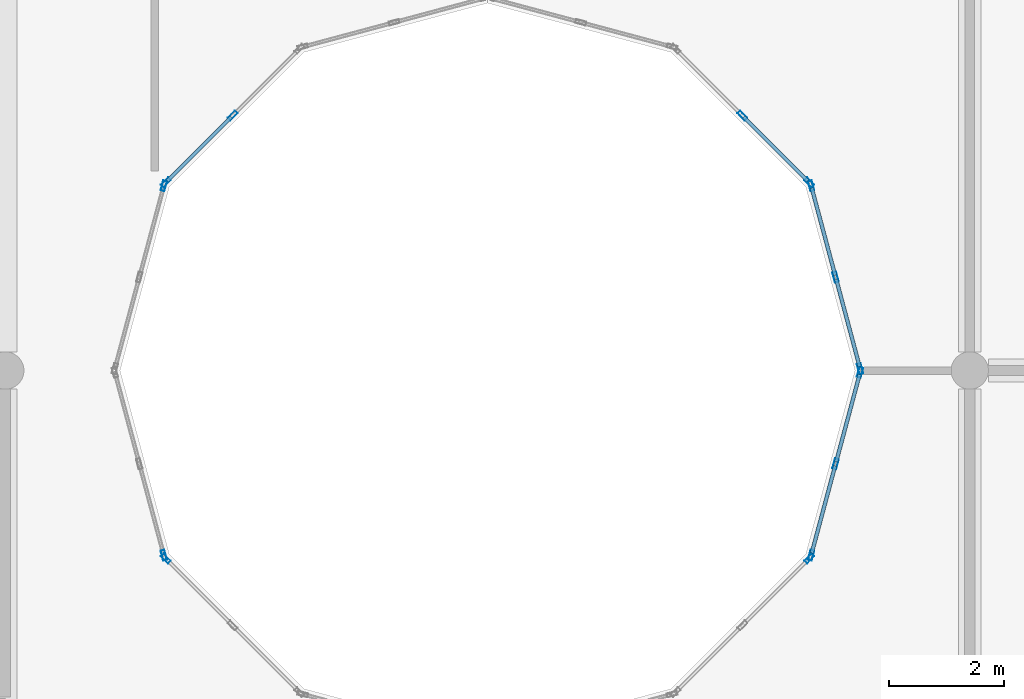
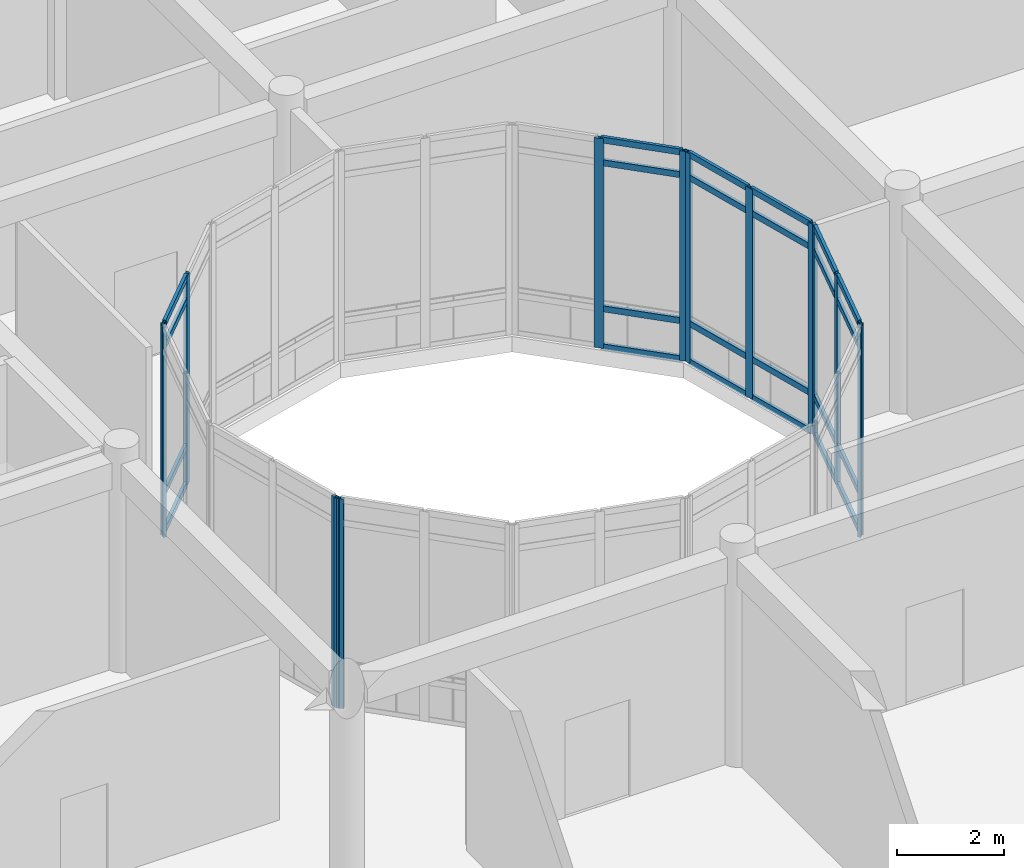
# One storey, part 51 of 134: 38 members, 8 elements without a shape of their own.
"""IFC4 building model written with IfcOpenShell, lengths in metres."""

from ifc_helpers import new_model, si_unit, direction, frame, origin, origin_2d, place, context, subcontext, project, spatial, hollow_rectangle, extrude, material, layer, layer_set, material_profile, profile_set, type_object, element, aggregate, save


model = new_model("IFC4")

# Units and contexts
model_context = context("Model", 3, precision=1e-05, world=origin(), true_north=direction((0.0, 1.0)))
body_context = subcontext(model_context, "Body", "Model", "MODEL_VIEW")
ifc_project = project(units=[si_unit("LENGTHUNIT", "METRE"), si_unit("AREAUNIT", "SQUARE_METRE"), si_unit("VOLUMEUNIT", "CUBIC_METRE"), si_unit("PLANEANGLEUNIT", "RADIAN"), si_unit("MASSUNIT", "GRAM", prefix="KILO")], contexts=[model_context])

# Site, building, storey
site_placement = place(None, origin())
site = spatial("IfcSite", under=ifc_project, at=site_placement, CompositionType="ELEMENT")
building_placement = place(site_placement, origin())
building = spatial("IfcBuilding", under=site, at=building_placement, Name="Bramfleet General Hospital", CompositionType="ELEMENT")
storey_placement = place(building_placement, frame((0.0, 0.0, 9.300048828125)))
storey = spatial("IfcBuildingStorey", under=building, at=storey_placement, Name="L02", CompositionType="ELEMENT", Elevation=9.300048828125)

# Curtain wall, member
ifc_material_1 = material(Name="Anodised aluminium and low-E triple glazing", Category="aluminium")
ifc_layer_1 = layer(ifc_material_1, 0.179931640625, Name="CWT-CW-13")
ifc_layer_set_1 = layer_set([ifc_layer_1], Name="Anodised aluminium and low-E triple glazing")
curtain_wall_type_1 = type_object("IfcCurtainWallType", Name="CWT-CW-13", PredefinedType="USERDEFINED", material=ifc_layer_set_1)
curtain_wall_1_placement = place(storey_placement, origin())
curtain_wall_1 = element("IfcCurtainWall", 1, at=curtain_wall_1_placement, inside=storey, type_object=curtain_wall_type_1, Name="L02 East Laboratory Light Court Curtain Wall 1.1", ObjectType="Stick curtain wall", PredefinedType="USERDEFINED")
ifc_material_2 = material(Name="Anodised aluminium EN AW-6060", Category="aluminium")
ifc_material_profile_1 = material_profile(ifc_material_2, hollow_rectangle(XDim=0.070068359375, YDim=0.179931640625, WallThickness=0.00390625, at=origin_2d()), Name="ALU 180x70x4.0")
ifc_profile_set_1 = profile_set([ifc_material_profile_1], Name="Anodised aluminium EN AW-6060")
member_type_1 = type_object("IfcMemberType", Name="CWM-ALU180", PredefinedType="MULLION", material=ifc_profile_set_1)
member_1_placement = place(storey_placement, frame((111.9619140625, 63.98388671875, 0.0), z_axis=(0.0, 0.0, 1.0), x_axis=(0.965913556273, 0.258864833085, 0.0)))
member_1 = element("IfcMember", 2, at=member_1_placement, type_object=member_type_1, Name="CW-13 mullion 3", PredefinedType="MULLION", context=body_context, shape_type="SweptSolid", body=[
    extrude(hollow_rectangle(XDim=0.070068359375, YDim=0.179931640625, WallThickness=0.00390625, at=origin_2d()), origin(), (0.0, 0.0, 1.0), 4.77001953125),
])
aggregate(curtain_wall_1, [member_1])

ifc_layer_2 = layer(ifc_material_1, 0.179931640625, Name="CWT-CW-14")
ifc_layer_set_2 = layer_set([ifc_layer_2], Name="Anodised aluminium and low-E triple glazing")
curtain_wall_type_2 = type_object("IfcCurtainWallType", Name="CWT-CW-14", PredefinedType="USERDEFINED", material=ifc_layer_set_2)
curtain_wall_2_placement = place(storey_placement, origin())
curtain_wall_2 = element("IfcCurtainWall", 3, at=curtain_wall_2_placement, inside=storey, type_object=curtain_wall_type_2, Name="L02 East Laboratory Light Court Curtain Wall 2.1", ObjectType="Stick curtain wall", PredefinedType="USERDEFINED")
member_2_placement = place(storey_placement, frame((111.995849609375, 63.92529296875, 0.0), z_axis=(0.0, 0.0, 1.0), x_axis=(0.707106781187, 0.707106781187, 0.0)))
member_2 = element("IfcMember", 4, at=member_2_placement, type_object=member_type_1, Name="CW-14 mullion 1", PredefinedType="MULLION", context=body_context, shape_type="SweptSolid", body=[
    extrude(hollow_rectangle(XDim=0.070068359375, YDim=0.179931640625, WallThickness=0.00390625, at=origin_2d()), origin(), (0.0, 0.0, 1.0), 4.77001953125),
])
aggregate(curtain_wall_2, [member_2])

ifc_layer_3 = layer(ifc_material_1, 0.179931640625, Name="CWT-CW-17")
ifc_layer_set_3 = layer_set([ifc_layer_3], Name="Anodised aluminium and low-E triple glazing")
curtain_wall_type_3 = type_object("IfcCurtainWallType", Name="CWT-CW-17", PredefinedType="USERDEFINED", material=ifc_layer_set_3)
curtain_wall_3_placement = place(storey_placement, origin())
curtain_wall_3 = element("IfcCurtainWall", 5, at=curtain_wall_3_placement, inside=storey, type_object=curtain_wall_type_3, Name="L02 East Laboratory Light Court Curtain Wall 5.1", ObjectType="Stick curtain wall", PredefinedType="USERDEFINED")
member_3_placement = place(storey_placement, frame((123.204345703125, 63.92529296875, 0.0), z_axis=(0.0, 0.0, 1.0), x_axis=(-0.707106781187, 0.707106781187, 0.0)))
member_3 = element("IfcMember", 6, at=member_3_placement, type_object=member_type_1, Name="CW-17 mullion 3", PredefinedType="MULLION", context=body_context, shape_type="SweptSolid", body=[
    extrude(hollow_rectangle(XDim=0.070068359375, YDim=0.179931640625, WallThickness=0.00390625, at=origin_2d()), origin(), (0.0, 0.0, 1.0), 4.77001953125),
])
aggregate(curtain_wall_3, [member_3])

# Curtain wall, members
ifc_layer_4 = layer(ifc_material_1, 0.179931640625, Name="CWT-CW-18")
ifc_layer_set_4 = layer_set([ifc_layer_4], Name="Anodised aluminium and low-E triple glazing")
curtain_wall_type_4 = type_object("IfcCurtainWallType", Name="CWT-CW-18", PredefinedType="USERDEFINED", material=ifc_layer_set_4)
curtain_wall_4_placement = place(storey_placement, origin())
curtain_wall_4 = element("IfcCurtainWall", 7, at=curtain_wall_4_placement, inside=storey, type_object=curtain_wall_type_4, Name="L02 East Laboratory Light Court Curtain Wall 6.1", ObjectType="Stick curtain wall", PredefinedType="USERDEFINED")
member_4_placement = place(storey_placement, frame((123.238037109375, 63.98388671875, 0.0), z_axis=(0.0, 0.0, 1.0), x_axis=(-0.965913556273, 0.258864833085, 0.0)))
member_4 = element("IfcMember", 8, at=member_4_placement, type_object=member_type_1, Name="CW-18 mullion 1", PredefinedType="MULLION", context=body_context, shape_type="SweptSolid", body=[
    extrude(hollow_rectangle(XDim=0.070068359375, YDim=0.179931640625, WallThickness=0.00390625, at=origin_2d()), origin(), (0.0, 0.0, 1.0), 4.77001953125),
])
member_5_placement = place(storey_placement, frame((123.66455078125, 65.574951171875, 0.0), z_axis=(0.0, 0.0, 1.0), x_axis=(-0.965913556273, 0.258864833085, 0.0)))
member_5 = element("IfcMember", 9, at=member_5_placement, type_object=member_type_1, Name="CW-18 mullion 2", PredefinedType="MULLION", context=body_context, shape_type="SweptSolid", body=[
    extrude(hollow_rectangle(XDim=0.070068359375, YDim=0.179931640625, WallThickness=0.00390625, at=origin_2d()), origin(), (0.0, 0.0, 1.0), 4.77001953125),
])
member_6_placement = place(storey_placement, frame((124.0908203125, 67.166259765625, 0.0), z_axis=(0.0, 0.0, 1.0), x_axis=(-0.965913556273, 0.258864833085, 0.0)))
member_6 = element("IfcMember", 10, at=member_6_placement, type_object=member_type_1, Name="CW-18 mullion 3", PredefinedType="MULLION", context=body_context, shape_type="SweptSolid", body=[
    extrude(hollow_rectangle(XDim=0.070068359375, YDim=0.179931640625, WallThickness=0.00390625, at=origin_2d()), origin(), (0.0, 0.0, 1.0), 4.77001953125),
])

ifc_layer_5 = layer(ifc_material_1, 0.179931640625, Name="CWT-CW-11")
ifc_layer_set_5 = layer_set([ifc_layer_5], Name="Anodised aluminium and low-E triple glazing")
curtain_wall_type_5 = type_object("IfcCurtainWallType", Name="CWT-CW-11", PredefinedType="USERDEFINED", material=ifc_layer_set_5)
curtain_wall_5_placement = place(storey_placement, origin())
curtain_wall_5 = element("IfcCurtainWall", 11, at=curtain_wall_5_placement, inside=storey, type_object=curtain_wall_type_5, Name="L02 East Laboratory Light Court Curtain Wall 7.1", ObjectType="Stick curtain wall", PredefinedType="USERDEFINED")
member_7_placement = place(storey_placement, frame((124.0908203125, 67.23388671875, 0.0), z_axis=(0.0, 0.0, 1.0), x_axis=(-0.965913556273, -0.258864833085, 0.0)))
member_7 = element("IfcMember", 12, at=member_7_placement, type_object=member_type_1, Name="CW-11 mullion 1", PredefinedType="MULLION", context=body_context, shape_type="SweptSolid", body=[
    extrude(hollow_rectangle(XDim=0.070068359375, YDim=0.179931640625, WallThickness=0.00390625, at=origin_2d()), origin(), (0.0, 0.0, 1.0), 4.77001953125),
])
member_8_placement = place(storey_placement, frame((123.66455078125, 68.824951171875, 0.0), z_axis=(0.0, 0.0, 1.0), x_axis=(-0.965913556273, -0.258864833085, 0.0)))
member_8 = element("IfcMember", 13, at=member_8_placement, type_object=member_type_1, Name="CW-11 mullion 2", PredefinedType="MULLION", context=body_context, shape_type="SweptSolid", body=[
    extrude(hollow_rectangle(XDim=0.070068359375, YDim=0.179931640625, WallThickness=0.00390625, at=origin_2d()), origin(), (0.0, 0.0, 1.0), 4.77001953125),
])
member_9_placement = place(storey_placement, frame((123.238037109375, 70.416259765625, 0.0), z_axis=(0.0, 0.0, 1.0), x_axis=(-0.965913556273, -0.258864833085, 0.0)))
member_9 = element("IfcMember", 14, at=member_9_placement, type_object=member_type_1, Name="CW-11 mullion 3", PredefinedType="MULLION", context=body_context, shape_type="SweptSolid", body=[
    extrude(hollow_rectangle(XDim=0.070068359375, YDim=0.179931640625, WallThickness=0.00390625, at=origin_2d()), origin(), (0.0, 0.0, 1.0), 4.77001953125),
])

ifc_layer_6 = layer(ifc_material_1, 0.179931640625, Name="CWT-CW-12")
ifc_layer_set_6 = layer_set([ifc_layer_6], Name="Anodised aluminium and low-E triple glazing")
curtain_wall_type_6 = type_object("IfcCurtainWallType", Name="CWT-CW-12", PredefinedType="USERDEFINED", material=ifc_layer_set_6)
curtain_wall_6_placement = place(storey_placement, origin())
curtain_wall_6 = element("IfcCurtainWall", 15, at=curtain_wall_6_placement, inside=storey, type_object=curtain_wall_type_6, Name="L02 East Laboratory Light Court Curtain Wall 8.1", ObjectType="Stick curtain wall", PredefinedType="USERDEFINED")
member_10_placement = place(storey_placement, frame((123.204345703125, 70.474853515625, 0.0), z_axis=(0.0, 0.0, 1.0), x_axis=(-0.707106781187, -0.707106781187, 0.0)))
member_10 = element("IfcMember", 16, at=member_10_placement, type_object=member_type_1, Name="CW-12 mullion 1", PredefinedType="MULLION", context=body_context, shape_type="SweptSolid", body=[
    extrude(hollow_rectangle(XDim=0.070068359375, YDim=0.179931640625, WallThickness=0.00390625, at=origin_2d()), origin(), (0.0, 0.0, 1.0), 4.77001953125),
])
member_11_placement = place(storey_placement, frame((122.03955078125, 71.639404296875, 0.0), z_axis=(0.0, 0.0, 1.0), x_axis=(-0.707106781187, -0.707106781187, 0.0)))
member_11 = element("IfcMember", 17, at=member_11_placement, type_object=member_type_1, Name="CW-12 mullion 2", PredefinedType="MULLION", context=body_context, shape_type="SweptSolid", body=[
    extrude(hollow_rectangle(XDim=0.070068359375, YDim=0.179931640625, WallThickness=0.00390625, at=origin_2d()), origin(), (0.0, 0.0, 1.0), 4.77001953125),
])

ifc_layer_7 = layer(ifc_material_1, 0.179931640625, Name="CWT-CW-15")
ifc_layer_set_7 = layer_set([ifc_layer_7], Name="Anodised aluminium and low-E triple glazing")
curtain_wall_type_7 = type_object("IfcCurtainWallType", Name="CWT-CW-15", PredefinedType="USERDEFINED", material=ifc_layer_set_7)
curtain_wall_7_placement = place(storey_placement, origin())
curtain_wall_7 = element("IfcCurtainWall", 18, at=curtain_wall_7_placement, inside=storey, type_object=curtain_wall_type_7, Name="L02 East Laboratory Light Court Curtain Wall 11.1", ObjectType="Stick curtain wall", PredefinedType="USERDEFINED")
member_12_placement = place(storey_placement, frame((113.160400390625, 71.639404296875, 0.0), z_axis=(0.0, 0.0, 1.0), x_axis=(0.707106781187, -0.707106781187, 0.0)))
member_12 = element("IfcMember", 19, at=member_12_placement, type_object=member_type_1, Name="CW-15 mullion 2", PredefinedType="MULLION", context=body_context, shape_type="SweptSolid", body=[
    extrude(hollow_rectangle(XDim=0.070068359375, YDim=0.179931640625, WallThickness=0.00390625, at=origin_2d()), origin(), (0.0, 0.0, 1.0), 4.77001953125),
])
member_13_placement = place(storey_placement, frame((111.995849609375, 70.474853515625, 0.0), z_axis=(0.0, 0.0, 1.0), x_axis=(0.707106781187, -0.707106781187, 0.0)))
member_13 = element("IfcMember", 20, at=member_13_placement, type_object=member_type_1, Name="CW-15 mullion 3", PredefinedType="MULLION", context=body_context, shape_type="SweptSolid", body=[
    extrude(hollow_rectangle(XDim=0.070068359375, YDim=0.179931640625, WallThickness=0.00390625, at=origin_2d()), origin(), (0.0, 0.0, 1.0), 4.77001953125),
])

# Curtain wall, member
ifc_layer_8 = layer(ifc_material_1, 0.179931640625, Name="CWT-CW-16")
ifc_layer_set_8 = layer_set([ifc_layer_8], Name="Anodised aluminium and low-E triple glazing")
curtain_wall_type_8 = type_object("IfcCurtainWallType", Name="CWT-CW-16", PredefinedType="USERDEFINED", material=ifc_layer_set_8)
curtain_wall_8_placement = place(storey_placement, origin())
curtain_wall_8 = element("IfcCurtainWall", 21, at=curtain_wall_8_placement, inside=storey, type_object=curtain_wall_type_8, Name="L02 East Laboratory Light Court Curtain Wall 12.1", ObjectType="Stick curtain wall", PredefinedType="USERDEFINED")
member_14_placement = place(storey_placement, frame((111.9619140625, 70.416259765625, 0.0), z_axis=(0.0, 0.0, 1.0), x_axis=(0.965913556273, -0.258864833085, 0.0)))
member_14 = element("IfcMember", 22, at=member_14_placement, type_object=member_type_1, Name="CW-16 mullion 1", PredefinedType="MULLION", context=body_context, shape_type="SweptSolid", body=[
    extrude(hollow_rectangle(XDim=0.070068359375, YDim=0.179931640625, WallThickness=0.00390625, at=origin_2d()), origin(), (0.0, 0.0, 1.0), 4.77001953125),
])
aggregate(curtain_wall_8, [member_14])

# Member
ifc_material_profile_2 = material_profile(ifc_material_2, hollow_rectangle(XDim=0.06494140625, YDim=0.139892578125, WallThickness=0.00390625, at=origin_2d()), Name="ALU 140x65x4.0")
ifc_profile_set_2 = profile_set([ifc_material_profile_2], Name="Anodised aluminium EN AW-6060")
member_type_2 = type_object("IfcMemberType", Name="CWT-ALU140", PredefinedType="USERDEFINED", material=ifc_profile_set_2)
member_15_placement = place(storey_placement, frame((123.2470703125, 64.017578125, 0.032470703125), z_axis=(0.258924323505, 0.965897610877, 0.0), x_axis=(-0.965897610877, 0.258924323505, 0.0)))
member_15 = element("IfcMember", 23, at=member_15_placement, type_object=member_type_2, Name="CW-18 transom 1.1", ObjectType="TRANSOM", PredefinedType="USERDEFINED", context=body_context, shape_type="SweptSolid", body=[
    extrude(hollow_rectangle(XDim=0.06494140625, YDim=0.139892578125, WallThickness=0.00390625, at=origin_2d()), origin(), (0.0, 0.0, 1.0), 1.577392578125),
])

member_16_placement = place(storey_placement, frame((123.2470703125, 64.017578125, 0.89990234375), z_axis=(0.258924323505, 0.965897610877, 0.0), x_axis=(-0.965897610877, 0.258924323505, 0.0)))
member_16 = element("IfcMember", 24, at=member_16_placement, type_object=member_type_2, Name="CW-18 transom 1.2", ObjectType="TRANSOM", PredefinedType="USERDEFINED", context=body_context, shape_type="SweptSolid", body=[
    extrude(hollow_rectangle(XDim=0.06494140625, YDim=0.139892578125, WallThickness=0.00390625, at=origin_2d()), origin(), (0.0, 0.0, 1.0), 1.577392578125),
])

member_17_placement = place(storey_placement, frame((123.2470703125, 64.017578125, 4.219970703125), z_axis=(0.258924323505, 0.965897610877, 0.0), x_axis=(-0.965897610877, 0.258924323505, 0.0)))
member_17 = element("IfcMember", 25, at=member_17_placement, type_object=member_type_2, Name="CW-18 transom 1.3", ObjectType="TRANSOM", PredefinedType="USERDEFINED", context=body_context, shape_type="SweptSolid", body=[
    extrude(hollow_rectangle(XDim=0.06494140625, YDim=0.139892578125, WallThickness=0.00390625, at=origin_2d()), origin(), (0.0, 0.0, 1.0), 1.577392578125),
])

member_18_placement = place(storey_placement, frame((123.2470703125, 64.017578125, 4.737548828125), z_axis=(0.258924323505, 0.965897610877, 0.0), x_axis=(-0.965897610877, 0.258924323505, 0.0)))
member_18 = element("IfcMember", 26, at=member_18_placement, type_object=member_type_2, Name="CW-18 transom 1.4", ObjectType="TRANSOM", PredefinedType="USERDEFINED", context=body_context, shape_type="SweptSolid", body=[
    extrude(hollow_rectangle(XDim=0.06494140625, YDim=0.139892578125, WallThickness=0.00390625, at=origin_2d()), origin(), (0.0, 0.0, 1.0), 1.577392578125),
])

member_19_placement = place(storey_placement, frame((123.673583984375, 65.60888671875, 0.032470703125), z_axis=(0.258818617489, 0.965925940868, 0.0), x_axis=(-0.965925940868, 0.258818617489, 0.0)))
member_19 = element("IfcMember", 27, at=member_19_placement, type_object=member_type_2, Name="CW-18 transom 2.1", ObjectType="TRANSOM", PredefinedType="USERDEFINED", context=body_context, shape_type="SweptSolid", body=[
    extrude(hollow_rectangle(XDim=0.06494140625, YDim=0.139892578125, WallThickness=0.00390625, at=origin_2d()), origin(), (0.0, 0.0, 1.0), 1.5771484375),
])

member_20_placement = place(storey_placement, frame((123.673583984375, 65.60888671875, 0.89990234375), z_axis=(0.258818617489, 0.965925940868, 0.0), x_axis=(-0.965925940868, 0.258818617489, 0.0)))
member_20 = element("IfcMember", 28, at=member_20_placement, type_object=member_type_2, Name="CW-18 transom 2.2", ObjectType="TRANSOM", PredefinedType="USERDEFINED", context=body_context, shape_type="SweptSolid", body=[
    extrude(hollow_rectangle(XDim=0.06494140625, YDim=0.139892578125, WallThickness=0.00390625, at=origin_2d()), origin(), (0.0, 0.0, 1.0), 1.5771484375),
])

member_21_placement = place(storey_placement, frame((123.673583984375, 65.60888671875, 4.219970703125), z_axis=(0.258818617489, 0.965925940868, 0.0), x_axis=(-0.965925940868, 0.258818617489, 0.0)))
member_21 = element("IfcMember", 29, at=member_21_placement, type_object=member_type_2, Name="CW-18 transom 2.3", ObjectType="TRANSOM", PredefinedType="USERDEFINED", context=body_context, shape_type="SweptSolid", body=[
    extrude(hollow_rectangle(XDim=0.06494140625, YDim=0.139892578125, WallThickness=0.00390625, at=origin_2d()), origin(), (0.0, 0.0, 1.0), 1.5771484375),
])

member_22_placement = place(storey_placement, frame((123.673583984375, 65.60888671875, 4.737548828125), z_axis=(0.258818617489, 0.965925940868, 0.0), x_axis=(-0.965925940868, 0.258818617489, 0.0)))
member_22 = element("IfcMember", 30, at=member_22_placement, type_object=member_type_2, Name="CW-18 transom 2.4", ObjectType="TRANSOM", PredefinedType="USERDEFINED", context=body_context, shape_type="SweptSolid", body=[
    extrude(hollow_rectangle(XDim=0.06494140625, YDim=0.139892578125, WallThickness=0.00390625, at=origin_2d()), origin(), (0.0, 0.0, 1.0), 1.5771484375),
])

aggregate(curtain_wall_4, [member_4, member_5, member_6, member_15, member_16, member_17, member_18, member_19, member_20, member_21, member_22])

member_23_placement = place(storey_placement, frame((124.081787109375, 67.267578125, 0.032470703125), z_axis=(-0.25877992417, 0.965936307862, 0.0), x_axis=(-0.965936307862, -0.25877992417, 0.0)))
member_23 = element("IfcMember", 31, at=member_23_placement, type_object=member_type_2, Name="CW-11 transom 1.1", ObjectType="TRANSOM", PredefinedType="USERDEFINED", context=body_context, shape_type="SweptSolid", body=[
    extrude(hollow_rectangle(XDim=0.06494140625, YDim=0.139892578125, WallThickness=0.00390625, at=origin_2d()), origin(), (0.0, 0.0, 1.0), 1.577392578125),
])

member_24_placement = place(storey_placement, frame((124.081787109375, 67.267578125, 0.89990234375), z_axis=(-0.25877992417, 0.965936307862, 0.0), x_axis=(-0.965936307862, -0.25877992417, 0.0)))
member_24 = element("IfcMember", 32, at=member_24_placement, type_object=member_type_2, Name="CW-11 transom 1.2", ObjectType="TRANSOM", PredefinedType="USERDEFINED", context=body_context, shape_type="SweptSolid", body=[
    extrude(hollow_rectangle(XDim=0.06494140625, YDim=0.139892578125, WallThickness=0.00390625, at=origin_2d()), origin(), (0.0, 0.0, 1.0), 1.577392578125),
])

member_25_placement = place(storey_placement, frame((124.081787109375, 67.267578125, 4.219970703125), z_axis=(-0.25877992417, 0.965936307862, 0.0), x_axis=(-0.965936307862, -0.25877992417, 0.0)))
member_25 = element("IfcMember", 33, at=member_25_placement, type_object=member_type_2, Name="CW-11 transom 1.3", ObjectType="TRANSOM", PredefinedType="USERDEFINED", context=body_context, shape_type="SweptSolid", body=[
    extrude(hollow_rectangle(XDim=0.06494140625, YDim=0.139892578125, WallThickness=0.00390625, at=origin_2d()), origin(), (0.0, 0.0, 1.0), 1.577392578125),
])

member_26_placement = place(storey_placement, frame((124.081787109375, 67.267578125, 4.737548828125), z_axis=(-0.25877992417, 0.965936307862, 0.0), x_axis=(-0.965936307862, -0.25877992417, 0.0)))
member_26 = element("IfcMember", 34, at=member_26_placement, type_object=member_type_2, Name="CW-11 transom 1.4", ObjectType="TRANSOM", PredefinedType="USERDEFINED", context=body_context, shape_type="SweptSolid", body=[
    extrude(hollow_rectangle(XDim=0.06494140625, YDim=0.139892578125, WallThickness=0.00390625, at=origin_2d()), origin(), (0.0, 0.0, 1.0), 1.577392578125),
])

member_27_placement = place(storey_placement, frame((123.655517578125, 68.85888671875, 0.032470703125), z_axis=(-0.258963035312, 0.965887232725, 0.0), x_axis=(-0.965887232725, -0.258963035312, 0.0)))
member_27 = element("IfcMember", 35, at=member_27_placement, type_object=member_type_2, Name="CW-11 transom 2.1", ObjectType="TRANSOM", PredefinedType="USERDEFINED", context=body_context, shape_type="SweptSolid", body=[
    extrude(hollow_rectangle(XDim=0.06494140625, YDim=0.139892578125, WallThickness=0.00390625, at=origin_2d()), origin(), (0.0, 0.0, 1.0), 1.5771484375),
])

member_28_placement = place(storey_placement, frame((123.655517578125, 68.85888671875, 0.89990234375), z_axis=(-0.258963035312, 0.965887232725, 0.0), x_axis=(-0.965887232725, -0.258963035312, 0.0)))
member_28 = element("IfcMember", 36, at=member_28_placement, type_object=member_type_2, Name="CW-11 transom 2.2", ObjectType="TRANSOM", PredefinedType="USERDEFINED", context=body_context, shape_type="SweptSolid", body=[
    extrude(hollow_rectangle(XDim=0.06494140625, YDim=0.139892578125, WallThickness=0.00390625, at=origin_2d()), origin(), (0.0, 0.0, 1.0), 1.5771484375),
])

member_29_placement = place(storey_placement, frame((123.655517578125, 68.85888671875, 4.219970703125), z_axis=(-0.258963035312, 0.965887232725, 0.0), x_axis=(-0.965887232725, -0.258963035312, 0.0)))
member_29 = element("IfcMember", 37, at=member_29_placement, type_object=member_type_2, Name="CW-11 transom 2.3", ObjectType="TRANSOM", PredefinedType="USERDEFINED", context=body_context, shape_type="SweptSolid", body=[
    extrude(hollow_rectangle(XDim=0.06494140625, YDim=0.139892578125, WallThickness=0.00390625, at=origin_2d()), origin(), (0.0, 0.0, 1.0), 1.5771484375),
])

member_30_placement = place(storey_placement, frame((123.655517578125, 68.85888671875, 4.737548828125), z_axis=(-0.258963035312, 0.965887232725, 0.0), x_axis=(-0.965887232725, -0.258963035312, 0.0)))
member_30 = element("IfcMember", 38, at=member_30_placement, type_object=member_type_2, Name="CW-11 transom 2.4", ObjectType="TRANSOM", PredefinedType="USERDEFINED", context=body_context, shape_type="SweptSolid", body=[
    extrude(hollow_rectangle(XDim=0.06494140625, YDim=0.139892578125, WallThickness=0.00390625, at=origin_2d()), origin(), (0.0, 0.0, 1.0), 1.5771484375),
])

aggregate(curtain_wall_5, [member_7, member_8, member_9, member_23, member_24, member_25, member_26, member_27, member_28, member_29, member_30])

member_31_placement = place(storey_placement, frame((123.179443359375, 70.49951171875, 0.032470703125), z_axis=(-0.707106781187, 0.707106781187, 0.0), x_axis=(-0.707106781187, -0.707106781187, 0.0)))
member_31 = element("IfcMember", 39, at=member_31_placement, type_object=member_type_2, Name="CW-12 transom 1.1", ObjectType="TRANSOM", PredefinedType="USERDEFINED", context=body_context, shape_type="SweptSolid", body=[
    extrude(hollow_rectangle(XDim=0.06494140625, YDim=0.139892578125, WallThickness=0.00390625, at=origin_2d()), origin(), (0.0, 0.0, 1.0), 1.5771484375),
])

member_32_placement = place(storey_placement, frame((123.179443359375, 70.49951171875, 0.89990234375), z_axis=(-0.707106781187, 0.707106781187, 0.0), x_axis=(-0.707106781187, -0.707106781187, 0.0)))
member_32 = element("IfcMember", 40, at=member_32_placement, type_object=member_type_2, Name="CW-12 transom 1.2", ObjectType="TRANSOM", PredefinedType="USERDEFINED", context=body_context, shape_type="SweptSolid", body=[
    extrude(hollow_rectangle(XDim=0.06494140625, YDim=0.139892578125, WallThickness=0.00390625, at=origin_2d()), origin(), (0.0, 0.0, 1.0), 1.5771484375),
])

member_33_placement = place(storey_placement, frame((123.179443359375, 70.49951171875, 4.219970703125), z_axis=(-0.707106781187, 0.707106781187, 0.0), x_axis=(-0.707106781187, -0.707106781187, 0.0)))
member_33 = element("IfcMember", 41, at=member_33_placement, type_object=member_type_2, Name="CW-12 transom 1.3", ObjectType="TRANSOM", PredefinedType="USERDEFINED", context=body_context, shape_type="SweptSolid", body=[
    extrude(hollow_rectangle(XDim=0.06494140625, YDim=0.139892578125, WallThickness=0.00390625, at=origin_2d()), origin(), (0.0, 0.0, 1.0), 1.5771484375),
])

member_34_placement = place(storey_placement, frame((123.179443359375, 70.49951171875, 4.737548828125), z_axis=(-0.707106781187, 0.707106781187, 0.0), x_axis=(-0.707106781187, -0.707106781187, 0.0)))
member_34 = element("IfcMember", 42, at=member_34_placement, type_object=member_type_2, Name="CW-12 transom 1.4", ObjectType="TRANSOM", PredefinedType="USERDEFINED", context=body_context, shape_type="SweptSolid", body=[
    extrude(hollow_rectangle(XDim=0.06494140625, YDim=0.139892578125, WallThickness=0.00390625, at=origin_2d()), origin(), (0.0, 0.0, 1.0), 1.5771484375),
])

aggregate(curtain_wall_6, [member_10, member_11, member_31, member_32, member_33, member_34])

member_35_placement = place(storey_placement, frame((113.1357421875, 71.61474609375, 0.032470703125), z_axis=(-0.707106781187, -0.707106781187, 0.0), x_axis=(0.707106781187, -0.707106781187, 0.0)))
member_35 = element("IfcMember", 43, at=member_35_placement, type_object=member_type_2, Name="CW-15 transom 2.1", ObjectType="TRANSOM", PredefinedType="USERDEFINED", context=body_context, shape_type="SweptSolid", body=[
    extrude(hollow_rectangle(XDim=0.06494140625, YDim=0.139892578125, WallThickness=0.00390625, at=origin_2d()), origin(), (0.0, 0.0, 1.0), 1.5771484375),
])

member_36_placement = place(storey_placement, frame((113.1357421875, 71.61474609375, 0.89990234375), z_axis=(-0.707106781187, -0.707106781187, 0.0), x_axis=(0.707106781187, -0.707106781187, 0.0)))
member_36 = element("IfcMember", 44, at=member_36_placement, type_object=member_type_2, Name="CW-15 transom 2.2", ObjectType="TRANSOM", PredefinedType="USERDEFINED", context=body_context, shape_type="SweptSolid", body=[
    extrude(hollow_rectangle(XDim=0.06494140625, YDim=0.139892578125, WallThickness=0.00390625, at=origin_2d()), origin(), (0.0, 0.0, 1.0), 1.5771484375),
])

member_37_placement = place(storey_placement, frame((113.1357421875, 71.61474609375, 4.219970703125), z_axis=(-0.707106781187, -0.707106781187, 0.0), x_axis=(0.707106781187, -0.707106781187, 0.0)))
member_37 = element("IfcMember", 45, at=member_37_placement, type_object=member_type_2, Name="CW-15 transom 2.3", ObjectType="TRANSOM", PredefinedType="USERDEFINED", context=body_context, shape_type="SweptSolid", body=[
    extrude(hollow_rectangle(XDim=0.06494140625, YDim=0.139892578125, WallThickness=0.00390625, at=origin_2d()), origin(), (0.0, 0.0, 1.0), 1.5771484375),
])

member_38_placement = place(storey_placement, frame((113.1357421875, 71.61474609375, 4.737548828125), z_axis=(-0.707106781187, -0.707106781187, 0.0), x_axis=(0.707106781187, -0.707106781187, 0.0)))
member_38 = element("IfcMember", 46, at=member_38_placement, type_object=member_type_2, Name="CW-15 transom 2.4", ObjectType="TRANSOM", PredefinedType="USERDEFINED", context=body_context, shape_type="SweptSolid", body=[
    extrude(hollow_rectangle(XDim=0.06494140625, YDim=0.139892578125, WallThickness=0.00390625, at=origin_2d()), origin(), (0.0, 0.0, 1.0), 1.5771484375),
])

aggregate(curtain_wall_7, [member_12, member_13, member_35, member_36, member_37, member_38])

save(model, "model.ifc")
